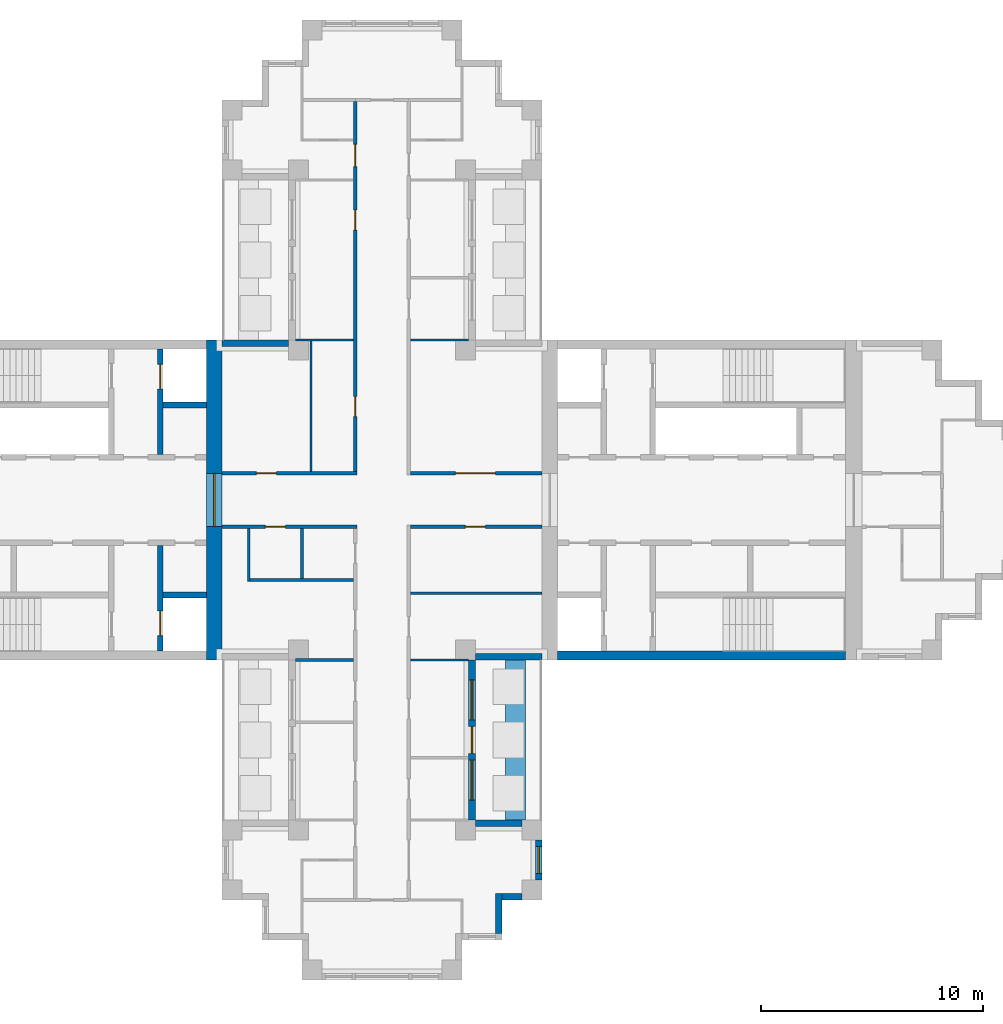
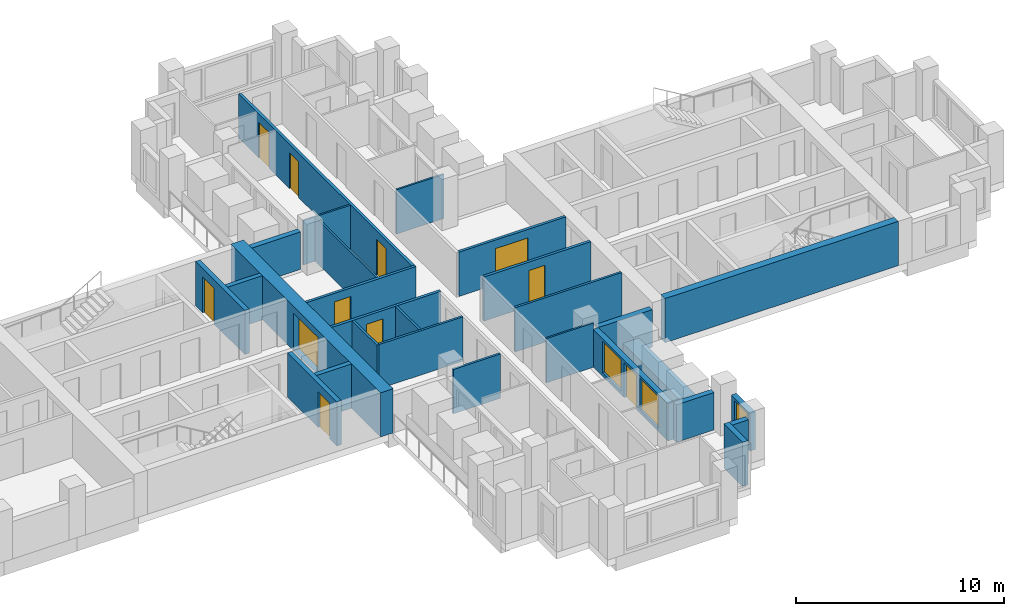
# One storey, part 5 of 11: 28 walls, 11 doors, 3 windows, 14 openings.
"""IFC4 building model written with IfcOpenShell, lengths in metres."""

from ifc_helpers import new_model, si_unit, direction, frame, frame_2d, origin, place, context, subcontext, project, spatial, rectangle, extrude, material, layer, layer_set, type_object, element, fill, save


model = new_model("IFC4")

# Units and contexts
model_context = context("Model", 3, precision=1e-05, world=origin(), true_north=direction((0.0, 1.0)))
body_context = subcontext(model_context, "Body", "Model", "MODEL_VIEW")
ifc_project = project(units=[si_unit("LENGTHUNIT", "METRE"), si_unit("AREAUNIT", "SQUARE_METRE"), si_unit("VOLUMEUNIT", "CUBIC_METRE"), si_unit("PLANEANGLEUNIT", "RADIAN"), si_unit("MASSUNIT", "GRAM", prefix="KILO")], contexts=[model_context])

# Site, building, storey
site_placement = place(None, origin())
site = spatial("IfcSite", under=ifc_project, at=site_placement, CompositionType="ELEMENT")
building_placement = place(site_placement, origin())
building = spatial("IfcBuilding", under=site, at=building_placement, Name="Fustian Cross Tower", CompositionType="ELEMENT")
storey_placement = place(building_placement, frame((0.0, 0.0, 173.699951171875)))
storey = spatial("IfcBuildingStorey", under=building, at=storey_placement, Name="L54", CompositionType="ELEMENT", Elevation=173.699951171875)

# Wall, opening, door
ifc_material_1 = material(Name="Plasterboard on steel stud", Category="steel")
ifc_layer_1 = layer(ifc_material_1, 0.14990234375)
ifc_layer_set_1 = layer_set([ifc_layer_1], Name="Plasterboard on steel stud")
wall_type_1 = type_object("IfcWallType", Name="COMPARTMENT WALL 150 EI 60", PredefinedType="PARTITIONING", material=ifc_layer_set_1)
wall_1_placement = place(storey_placement, frame((-7.199951171875, -1.199951171875, 0.0), z_axis=(0.0, 0.0, 1.0), x_axis=(1.0, 0.0, 0.0)))
wall_1 = element("IfcWall", 1, at=wall_1_placement, inside=storey, type_object=wall_type_1, Name="Partition 13", PredefinedType="PARTITIONING", context=body_context, shape_type="SweptSolid", body=[
    extrude(rectangle(XDim=6.074951171875, YDim=0.14990234375, at=frame_2d((3.03759765625, 0.0))), origin(), (0.0, 0.0, 1.0), 2.60009765625),
])
opening_1_placement = place(wall_1_placement, frame((1.949951171875, 0.0, 0.0)))
opening_1 = element("IfcOpeningElement", 2, at=opening_1_placement, cuts=wall_1, Name="Opening D25007", PredefinedType="OPENING", context=body_context, shape_type="SweptSolid", body=[
    extrude(rectangle(XDim=0.89990234375, YDim=2.10009765625, at=frame_2d((0.449951171875, 1.050048828125))), frame((0.0, 0.0849609375, 0.0), z_axis=(0.0, -1.0, 0.0), x_axis=(1.0, 0.0, 0.0)), (0.0, 0.0, 1.0), 0.169921875),
])
ifc_material_2 = material(Name="Timber fire door set", Category="wood")
door_type_1 = type_object("IfcDoorType", Name="FIRE SWING DOOR 900 FD30S", OperationType="SINGLE_SWING_LEFT", PredefinedType="DOOR", material=ifc_material_2)
door_1_placement = place(opening_1_placement, frame((0.89990234375, 0.0, 0.0), z_axis=(0.0, 0.0, 1.0), x_axis=(-1.0, 0.0, 0.0)))
door_1 = element("IfcDoor", 3, at=door_1_placement, inside=storey, type_object=door_type_1, Name="Door D25007", OperationType="SINGLE_SWING_RIGHT", OverallHeight=2.10009765625, OverallWidth=0.89990234375, PredefinedType="DOOR", context=body_context, shape_type="SweptSolid", body=[
    extrude(rectangle(XDim=0.89990234375, YDim=2.10009765625, at=frame_2d((0.449951171875, 1.050048828125))), frame((0.0, 0.02490234375, 0.0), z_axis=(0.0, -1.0, 0.0), x_axis=(1.0, 0.0, 0.0)), (0.0, 0.0, 1.0), 0.050048828125),
])
fill(opening_1, door_1)

wall_2_placement = place(storey_placement, frame((-7.199951171875, 1.199951171875, 0.0), z_axis=(0.0, 0.0, 1.0), x_axis=(1.0, 0.0, 0.0)))
wall_2 = element("IfcWall", 4, at=wall_2_placement, inside=storey, type_object=wall_type_1, Name="Partition 14", PredefinedType="PARTITIONING", context=body_context, shape_type="SweptSolid", body=[
    extrude(rectangle(XDim=6.074951171875, YDim=0.14990234375, at=frame_2d((3.03759765625, 0.0))), origin(), (0.0, 0.0, 1.0), 2.60009765625),
])
opening_2_placement = place(wall_2_placement, frame((1.550048828125, 0.0, 0.0)))
opening_2 = element("IfcOpeningElement", 5, at=opening_2_placement, cuts=wall_2, Name="Opening D25003", PredefinedType="OPENING", context=body_context, shape_type="SweptSolid", body=[
    extrude(rectangle(XDim=0.89990234375, YDim=2.10009765625, at=frame_2d((0.449951171875, 1.050048828125))), frame((0.0, 0.0849609375, 0.0), z_axis=(0.0, -1.0, 0.0), x_axis=(1.0, 0.0, 0.0)), (0.0, 0.0, 1.0), 0.169921875),
])
door_2_placement = place(opening_2_placement, origin())
door_2 = element("IfcDoor", 6, at=door_2_placement, inside=storey, type_object=door_type_1, Name="Door D25003", OperationType="SINGLE_SWING_LEFT", OverallHeight=2.10009765625, OverallWidth=0.89990234375, PredefinedType="DOOR", context=body_context, shape_type="SweptSolid", body=[
    extrude(rectangle(XDim=0.89990234375, YDim=2.10009765625, at=frame_2d((0.449951171875, 1.050048828125))), frame((0.0, 0.02490234375, 0.0), z_axis=(0.0, -1.0, 0.0), x_axis=(1.0, 0.0, 0.0)), (0.0, 0.0, 1.0), 0.050048828125),
])
fill(opening_2, door_2)

# Wall, openings, doors
wall_3_placement = place(storey_placement, frame((-1.199951171875, 1.27490234375, 0.0), z_axis=(0.0, 0.0, 1.0), x_axis=(0.0, 1.0, 0.0)))
wall_3 = element("IfcWall", 7, at=wall_3_placement, inside=storey, type_object=wall_type_1, Name="Partition 32", PredefinedType="PARTITIONING", context=body_context, shape_type="SweptSolid", body=[
    extrude(rectangle(XDim=16.650146484375, YDim=0.14990234375, at=frame_2d((8.3251953125, 0.0))), origin(), (0.0, 0.0, 1.0), 2.60009765625),
])
opening_3_placement = place(wall_3_placement, frame((2.47509765625, 0.0, 0.0)))
opening_3 = element("IfcOpeningElement", 8, at=opening_3_placement, cuts=wall_3, Name="Opening D25002", PredefinedType="OPENING", context=body_context, shape_type="SweptSolid", body=[
    extrude(rectangle(XDim=0.89990234375, YDim=2.10009765625, at=frame_2d((0.449951171875, 1.050048828125))), frame((0.0, 0.0849609375, 0.0), z_axis=(0.0, -1.0, 0.0), x_axis=(1.0, 0.0, 0.0)), (0.0, 0.0, 1.0), 0.169921875),
])
opening_4_placement = place(wall_3_placement, frame((10.875, 0.0, 0.0)))
opening_4 = element("IfcOpeningElement", 9, at=opening_4_placement, cuts=wall_3, Name="Opening D25014", PredefinedType="OPENING", context=body_context, shape_type="SweptSolid", body=[
    extrude(rectangle(XDim=0.89990234375, YDim=2.10009765625, at=frame_2d((0.449951171875, 1.050048828125))), frame((0.0, 0.0849609375, 0.0), z_axis=(0.0, -1.0, 0.0), x_axis=(1.0, 0.0, 0.0)), (0.0, 0.0, 1.0), 0.169921875),
])
opening_5_placement = place(wall_3_placement, frame((13.72509765625, 0.0, 0.0)))
opening_5 = element("IfcOpeningElement", 10, at=opening_5_placement, cuts=wall_3, Name="Opening D25016", PredefinedType="OPENING", context=body_context, shape_type="SweptSolid", body=[
    extrude(rectangle(XDim=1.0, YDim=2.10009765625, at=frame_2d((0.5, 1.050048828125))), frame((0.0, 0.0849609375, 0.0), z_axis=(0.0, -1.0, 0.0), x_axis=(1.0, 0.0, 0.0)), (0.0, 0.0, 1.0), 0.169921875),
])
ifc_material_3 = material(Name="Timber fire door set", Category="wood")
door_type_2 = type_object("IfcDoorType", Name="FIRE SWING DOOR 1000 FD30S", OperationType="SINGLE_SWING_LEFT", PredefinedType="DOOR", material=ifc_material_3)
door_3_placement = place(opening_5_placement, origin())
door_3 = element("IfcDoor", 11, at=door_3_placement, inside=storey, type_object=door_type_2, Name="Door D25016", OperationType="SINGLE_SWING_RIGHT", OverallHeight=2.10009765625, OverallWidth=1.0, PredefinedType="DOOR", context=body_context, shape_type="SweptSolid", body=[
    extrude(rectangle(XDim=1.0, YDim=2.10009765625, at=frame_2d((0.5, 1.050048828125))), frame((0.0, 0.02490234375, 0.0), z_axis=(0.0, -1.0, 0.0), x_axis=(1.0, 0.0, 0.0)), (0.0, 0.0, 1.0), 0.050048828125),
])
fill(opening_5, door_3)
door_4_placement = place(opening_3_placement, origin())
door_4 = element("IfcDoor", 12, at=door_4_placement, inside=storey, type_object=door_type_1, Name="Door D25002", OperationType="SINGLE_SWING_LEFT", OverallHeight=2.10009765625, OverallWidth=0.89990234375, PredefinedType="DOOR", context=body_context, shape_type="SweptSolid", body=[
    extrude(rectangle(XDim=0.89990234375, YDim=2.10009765625, at=frame_2d((0.449951171875, 1.050048828125))), frame((0.0, 0.02490234375, 0.0), z_axis=(0.0, -1.0, 0.0), x_axis=(1.0, 0.0, 0.0)), (0.0, 0.0, 1.0), 0.050048828125),
])
fill(opening_3, door_4)
door_5_placement = place(opening_4_placement, origin())
door_5 = element("IfcDoor", 13, at=door_5_placement, inside=storey, type_object=door_type_1, Name="Door D25014", OperationType="SINGLE_SWING_RIGHT", OverallHeight=2.10009765625, OverallWidth=0.89990234375, PredefinedType="DOOR", context=body_context, shape_type="SweptSolid", body=[
    extrude(rectangle(XDim=0.89990234375, YDim=2.10009765625, at=frame_2d((0.449951171875, 1.050048828125))), frame((0.0, 0.02490234375, 0.0), z_axis=(0.0, -1.0, 0.0), x_axis=(1.0, 0.0, 0.0)), (0.0, 0.0, 1.0), 0.050048828125),
])
fill(opening_4, door_5)

# Wall, opening, door
wall_4_placement = place(storey_placement, frame((1.27490234375, -1.199951171875, 0.0), z_axis=(0.0, 0.0, 1.0), x_axis=(1.0, 0.0, 0.0)))
wall_4 = element("IfcWall", 14, at=wall_4_placement, inside=storey, type_object=wall_type_1, Name="Partition 40", PredefinedType="PARTITIONING", context=body_context, shape_type="SweptSolid", body=[
    extrude(rectangle(XDim=5.925048828125, YDim=0.14990234375, at=frame_2d((2.96240234375, 0.0))), origin(), (0.0, 0.0, 1.0), 2.60009765625),
])
opening_6_placement = place(wall_4_placement, frame((2.47509765625, 0.0, 0.0)))
opening_6 = element("IfcOpeningElement", 15, at=opening_6_placement, cuts=wall_4, Name="Opening D25004", PredefinedType="OPENING", context=body_context, shape_type="SweptSolid", body=[
    extrude(rectangle(XDim=0.89990234375, YDim=2.10009765625, at=frame_2d((0.449951171875, 1.050048828125))), frame((0.0, 0.0849609375, 0.0), z_axis=(0.0, -1.0, 0.0), x_axis=(1.0, 0.0, 0.0)), (0.0, 0.0, 1.0), 0.169921875),
])
door_6_placement = place(opening_6_placement, frame((0.89990234375, 0.0, 0.0), z_axis=(0.0, 0.0, 1.0), x_axis=(-1.0, 0.0, 0.0)))
door_6 = element("IfcDoor", 16, at=door_6_placement, inside=storey, type_object=door_type_1, Name="Door D25004", OperationType="SINGLE_SWING_RIGHT", OverallHeight=2.10009765625, OverallWidth=0.89990234375, PredefinedType="DOOR", context=body_context, shape_type="SweptSolid", body=[
    extrude(rectangle(XDim=0.89990234375, YDim=2.10009765625, at=frame_2d((0.449951171875, 1.050048828125))), frame((0.0, 0.02490234375, 0.0), z_axis=(0.0, -1.0, 0.0), x_axis=(1.0, 0.0, 0.0)), (0.0, 0.0, 1.0), 0.050048828125),
])
fill(opening_6, door_6)

wall_5_placement = place(storey_placement, frame((1.27490234375, 1.199951171875, 0.0), z_axis=(0.0, 0.0, 1.0), x_axis=(1.0, 0.0, 0.0)))
wall_5 = element("IfcWall", 17, at=wall_5_placement, inside=storey, type_object=wall_type_1, Name="Partition 42", PredefinedType="PARTITIONING", context=body_context, shape_type="SweptSolid", body=[
    extrude(rectangle(XDim=5.925048828125, YDim=0.14990234375, at=frame_2d((2.96240234375, 0.0))), origin(), (0.0, 0.0, 1.0), 2.60009765625),
])
opening_7_placement = place(wall_5_placement, frame((2.02490234375, 0.0, 0.0)))
opening_7 = element("IfcOpeningElement", 18, at=opening_7_placement, cuts=wall_5, Name="Opening D25001", PredefinedType="OPENING", context=body_context, shape_type="SweptSolid", body=[
    extrude(rectangle(XDim=1.800048828125, YDim=2.10009765625, at=frame_2d((0.89990234375, 1.050048828125))), frame((0.0, 0.0849609375, 0.0), z_axis=(0.0, -1.0, 0.0), x_axis=(1.0, 0.0, 0.0)), (0.0, 0.0, 1.0), 0.169921875),
])
ifc_material_4 = material(Name="Timber fire door set", Category="wood")
door_type_3 = type_object("IfcDoorType", Name="FIRE DOUBLE DOOR 1800 FD30S", OperationType="DOUBLE_DOOR_DOUBLE_SWING", PredefinedType="DOOR", material=ifc_material_4)
door_7_placement = place(opening_7_placement, frame((1.800048828125, 0.0, 0.0), z_axis=(0.0, 0.0, 1.0), x_axis=(-1.0, 0.0, 0.0)))
door_7 = element("IfcDoor", 19, at=door_7_placement, inside=storey, type_object=door_type_3, Name="Door D25001", OperationType="DOUBLE_DOOR_DOUBLE_SWING", OverallHeight=2.10009765625, OverallWidth=1.800048828125, PredefinedType="DOOR", context=body_context, shape_type="SweptSolid", body=[
    extrude(rectangle(XDim=1.800048828125, YDim=2.10009765625, at=frame_2d((0.89990234375, 1.050048828125))), frame((0.0, 0.02490234375, 0.0), z_axis=(0.0, -1.0, 0.0), x_axis=(1.0, 0.0, 0.0)), (0.0, 0.0, 1.0), 0.050048828125),
])
fill(opening_7, door_7)

ifc_material_5 = material(Name="Concrete C50/60", Category="concrete")
ifc_layer_2 = layer(ifc_material_5, 0.699951171875)
ifc_layer_set_2 = layer_set([ifc_layer_2], Name="Concrete C50/60")
wall_type_2 = type_object("IfcWallType", Name="CORE END WALL 700 C50/60", PredefinedType="SHEAR", material=ifc_layer_set_2)
wall_6_placement = place(storey_placement, frame((-7.550048828125, -7.199951171875, 0.0), z_axis=(0.0, 0.0, 1.0), x_axis=(0.0, 1.0, 0.0)))
wall_6 = element("IfcWall", 20, at=wall_6_placement, inside=storey, type_object=wall_type_2, Name="Core end wall", PredefinedType="SHEAR", context=body_context, shape_type="SweptSolid", body=[
    extrude(rectangle(XDim=14.39990234375, YDim=0.699951171875, at=frame_2d((7.199951171875, 0.0))), origin(), (0.0, 0.0, 1.0), 2.60009765625),
])
opening_8_placement = place(wall_6_placement, frame((6.0, 0.0, 0.0)))
opening_8 = element("IfcOpeningElement", 21, at=opening_8_placement, cuts=wall_6, Name="Opening CD-22-28", PredefinedType="OPENING", context=body_context, shape_type="SweptSolid", body=[
    extrude(rectangle(XDim=2.39990234375, YDim=2.199951171875, at=frame_2d((1.199951171875, 1.10009765625))), frame((0.0, 0.35986328125, 0.0), z_axis=(0.0, -1.0, 0.0), x_axis=(1.0, 0.0, 0.0)), (0.0, 0.0, 1.0), 0.719970703125),
])
ifc_material_6 = material(Name="Steel", Category="steel")
door_type_4 = type_object("IfcDoorType", Name="FIRE DOOR FD30S DOUBLE 2400X2200", OperationType="DOUBLE_DOOR_DOUBLE_SWING", PredefinedType="DOOR", material=ifc_material_6)
door_8_placement = place(opening_8_placement, origin())
door_8 = element("IfcDoor", 22, at=door_8_placement, inside=storey, type_object=door_type_4, Name="Core door CD-22-28", OperationType="DOUBLE_DOOR_DOUBLE_SWING", OverallHeight=2.199951171875, OverallWidth=2.39990234375, PredefinedType="DOOR", context=body_context, shape_type="SweptSolid", body=[
    extrude(rectangle(XDim=2.39990234375, YDim=2.199951171875, at=frame_2d((1.199951171875, 1.10009765625))), frame((0.0, 0.02490234375, 0.0), z_axis=(0.0, -1.0, 0.0), x_axis=(1.0, 0.0, 0.0)), (0.0, 0.0, 1.0), 0.050048828125),
])
fill(opening_8, door_8)

# Walls
ifc_material_7 = material(Name="Concrete C50/60", Category="concrete")
ifc_layer_3 = layer(ifc_material_7, 0.39990234375)
ifc_layer_set_3 = layer_set([ifc_layer_3], Name="Concrete C50/60")
wall_type_3 = type_object("IfcWallType", Name="CORE FACADE WALL 400 C50/60", PredefinedType="SHEAR", material=ifc_layer_set_3)
wall_7_placement = place(storey_placement, frame((7.89990234375, -7.0, 0.0), z_axis=(0.0, 0.0, 1.0), x_axis=(1.0, 0.0, 0.0)))
element("IfcWall", 23, at=wall_7_placement, inside=storey, type_object=wall_type_3, Name="Core facade wall", PredefinedType="SHEAR", context=body_context, shape_type="SweptSolid", body=[
    extrude(rectangle(XDim=12.9501953125, YDim=0.39990234375, at=frame_2d((6.47509765625, 0.0))), origin(), (0.0, 0.0, 1.0), 2.60009765625),
])
ifc_material_8 = material(Name="Concrete C50/60", Category="concrete")
ifc_layer_4 = layer(ifc_material_8, 0.25)
ifc_layer_set_4 = layer_set([ifc_layer_4], Name="Concrete C50/60")
wall_type_4 = type_object("IfcWallType", Name="CORE SHAFT WALL 250 C50/60", PredefinedType="SHEAR", material=ifc_layer_set_4)
wall_8_placement = place(storey_placement, frame((-7.89990234375, 4.27490234375, 0.0), z_axis=(0.0, 0.0, 1.0), x_axis=(-1.0, 0.0, 0.0)))
element("IfcWall", 24, at=wall_8_placement, inside=storey, type_object=wall_type_4, Name="Core shaft wall", PredefinedType="SHEAR", context=body_context, shape_type="SweptSolid", body=[
    extrude(rectangle(XDim=1.9501953125, YDim=0.25, at=frame_2d((0.97509765625, 0.0))), origin(), (0.0, 0.0, 1.0), 2.60009765625),
])

# Wall, opening, door
wall_9_placement = place(storey_placement, frame((-9.97509765625, 2.050048828125, 0.0), z_axis=(0.0, 0.0, 1.0), x_axis=(0.0, 1.0, 0.0)))
wall_9 = element("IfcWall", 25, at=wall_9_placement, inside=storey, type_object=wall_type_4, Name="Core shaft wall", PredefinedType="SHEAR", context=body_context, shape_type="SweptSolid", body=[
    extrude(rectangle(XDim=4.75, YDim=0.25, at=frame_2d((2.375, 0.0))), origin(), (0.0, 0.0, 1.0), 2.60009765625),
])
opening_9_placement = place(wall_9_placement, frame((2.949951171875, 0.0, 0.0)))
opening_9 = element("IfcOpeningElement", 26, at=opening_9_placement, cuts=wall_9, Name="Opening LD", PredefinedType="OPENING", context=body_context, shape_type="SweptSolid", body=[
    extrude(rectangle(XDim=1.10009765625, YDim=2.10009765625, at=frame_2d((0.550048828125, 1.050048828125))), frame((0.0, 0.135009765625, 0.0), z_axis=(0.0, -1.0, 0.0), x_axis=(1.0, 0.0, 0.0)), (0.0, 0.0, 1.0), 0.27001953125),
])
ifc_material_9 = material(Name="Stainless steel", Category="steel")
door_type_5 = type_object("IfcDoorType", Name="LIFT LANDING DOOR 1100X2100", OperationType="SLIDING_TO_LEFT", PredefinedType="DOOR", material=ifc_material_9)
door_9_placement = place(opening_9_placement, origin())
door_9 = element("IfcDoor", 27, at=door_9_placement, inside=storey, type_object=door_type_5, Name="Landing door FL1W", OperationType="SLIDING_TO_LEFT", OverallHeight=2.10009765625, OverallWidth=1.10009765625, PredefinedType="DOOR", context=body_context, shape_type="SweptSolid", body=[
    extrude(rectangle(XDim=1.10009765625, YDim=2.10009765625, at=frame_2d((0.550048828125, 1.050048828125))), frame((0.0, 0.02490234375, 0.0), z_axis=(0.0, -1.0, 0.0), x_axis=(1.0, 0.0, 0.0)), (0.0, 0.0, 1.0), 0.050048828125),
])
fill(opening_9, door_9)

# Wall
wall_10_placement = place(storey_placement, frame((-7.89990234375, -4.27490234375, 0.0), z_axis=(0.0, 0.0, 1.0), x_axis=(-1.0, 0.0, 0.0)))
element("IfcWall", 28, at=wall_10_placement, inside=storey, type_object=wall_type_4, Name="Core shaft wall", PredefinedType="SHEAR", context=body_context, shape_type="SweptSolid", body=[
    extrude(rectangle(XDim=1.9501953125, YDim=0.25, at=frame_2d((0.97509765625, 0.0))), origin(), (0.0, 0.0, 1.0), 2.60009765625),
])

# Wall, opening, door
wall_11_placement = place(storey_placement, frame((-9.97509765625, -2.050048828125, 0.0), z_axis=(0.0, 0.0, 1.0), x_axis=(0.0, -1.0, 0.0)))
wall_11 = element("IfcWall", 29, at=wall_11_placement, inside=storey, type_object=wall_type_4, Name="Core shaft wall", PredefinedType="SHEAR", context=body_context, shape_type="SweptSolid", body=[
    extrude(rectangle(XDim=4.75, YDim=0.25, at=frame_2d((2.375, 0.0))), origin(), (0.0, 0.0, 1.0), 2.60009765625),
])
opening_10_placement = place(wall_11_placement, frame((2.949951171875, 0.0, 0.0)))
opening_10 = element("IfcOpeningElement", 30, at=opening_10_placement, cuts=wall_11, Name="Opening LD", PredefinedType="OPENING", context=body_context, shape_type="SweptSolid", body=[
    extrude(rectangle(XDim=1.10009765625, YDim=2.10009765625, at=frame_2d((0.550048828125, 1.050048828125))), frame((0.0, 0.135009765625, 0.0), z_axis=(0.0, -1.0, 0.0), x_axis=(1.0, 0.0, 0.0)), (0.0, 0.0, 1.0), 0.27001953125),
])
door_10_placement = place(opening_10_placement, origin())
door_10 = element("IfcDoor", 31, at=door_10_placement, inside=storey, type_object=door_type_5, Name="Landing door SV1W", OperationType="SLIDING_TO_LEFT", OverallHeight=2.10009765625, OverallWidth=1.10009765625, PredefinedType="DOOR", context=body_context, shape_type="SweptSolid", body=[
    extrude(rectangle(XDim=1.10009765625, YDim=2.10009765625, at=frame_2d((0.550048828125, 1.050048828125))), frame((0.0, 0.02490234375, 0.0), z_axis=(0.0, -1.0, 0.0), x_axis=(1.0, 0.0, 0.0)), (0.0, 0.0, 1.0), 0.050048828125),
])
fill(opening_10, door_10)

# Walls
ifc_material_10 = material(Name="Plasterboard on steel stud", Category="steel")
ifc_layer_5 = layer(ifc_material_10, 0.10009765625)
ifc_layer_set_5 = layer_set([ifc_layer_5], Name="Plasterboard on steel stud")
wall_type_5 = type_object("IfcWallType", Name="PARTITION 100 STUD", PredefinedType="PARTITIONING", material=ifc_layer_set_5)
wall_12_placement = place(storey_placement, frame((-3.89990234375, 7.199951171875, 0.0), z_axis=(0.0, 0.0, 1.0), x_axis=(1.0, 0.0, 0.0)))
element("IfcWall", 32, at=wall_12_placement, inside=storey, type_object=wall_type_5, Name="Partition 20", PredefinedType="PARTITIONING", context=body_context, shape_type="SweptSolid", body=[
    extrude(rectangle(XDim=2.625, YDim=0.10009765625, at=frame_2d((1.3125, 0.0))), origin(), (0.0, 0.0, 1.0), 2.60009765625),
])
wall_13_placement = place(storey_placement, frame((-3.199951171875, 1.27490234375, 0.0), z_axis=(0.0, 0.0, 1.0), x_axis=(0.0, 1.0, 0.0)))
element("IfcWall", 33, at=wall_13_placement, inside=storey, type_object=wall_type_5, Name="Partition 29", PredefinedType="PARTITIONING", context=body_context, shape_type="SweptSolid", body=[
    extrude(rectangle(XDim=5.875, YDim=0.10009765625, at=frame_2d((2.9375, 0.0))), origin(), (0.0, 0.0, 1.0), 2.60009765625),
])
for number, where, z_axis, x_axis, name in (
    (34, (1.27490234375, -7.199951171875, 0.0), (0.0, 0.0, 1.0), (1.0, 0.0, 0.0), "Partition 38"),
    (35, (1.27490234375, 7.199951171875, 0.0), (0.0, 0.0, 1.0), (1.0, 0.0, 0.0), "Partition 43"),
):
    element("IfcWall", number, at=place(storey_placement, frame(where, z_axis=z_axis, x_axis=x_axis)), inside=storey, type_object=wall_type_5, Name=name, PredefinedType="PARTITIONING", context=body_context, shape_type="SweptSolid", body=[
        extrude(rectangle(XDim=2.625, YDim=0.10009765625, at=frame_2d((1.3125, 0.0))), origin(), (0.0, 0.0, 1.0), 2.60009765625),
    ])
ifc_material_11 = material(Name="Concrete C40/50", Category="concrete")
ifc_layer_6 = layer(ifc_material_11, 0.89990234375)
ifc_layer_set_6 = layer_set([ifc_layer_6], Name="Concrete C40/50")
wall_type_6 = type_object("IfcWallType", Name="PK1 PLANTER 900", PredefinedType="PARAPET", material=ifc_layer_set_6)
wall_14_placement = place(storey_placement, frame((6.0, -14.39990234375, 0.0), z_axis=(0.0, 0.0, 1.0), x_axis=(0.0, 1.0, 0.0)))
element("IfcWall", 36, at=wall_14_placement, inside=storey, type_object=wall_type_6, Name="PLANTER", PredefinedType="PARAPET", context=body_context, shape_type="SweptSolid", body=[
    extrude(rectangle(XDim=7.199951171875, YDim=0.89990234375, at=frame_2d((3.60009765625, 0.0))), origin(), (0.0, 0.0, 1.0), 0.800048828125),
])
ifc_material_12 = material(Name="Plasterboard on steel stud", Category="steel")
ifc_layer_7 = layer(ifc_material_12, 0.125)
ifc_layer_set_7 = layer_set([ifc_layer_7], Name="Plasterboard on steel stud")
wall_type_7 = type_object("IfcWallType", Name="WET WALL 125 STUD", PredefinedType="PARTITIONING", material=ifc_layer_set_7)
wall_15_placement = place(storey_placement, frame((-6.0, -3.66259765625, 0.0), z_axis=(0.0, 0.0, 1.0), x_axis=(0.0, 1.0, 0.0)))
element("IfcWall", 37, at=wall_15_placement, inside=storey, type_object=wall_type_7, Name="Partition 15", PredefinedType="PARTITIONING", context=body_context, shape_type="SweptSolid", body=[
    extrude(rectangle(XDim=2.3876953125, YDim=0.125, at=frame_2d((1.19384765625, 0.0))), origin(), (0.0, 0.0, 1.0), 2.60009765625),
])
wall_16_placement = place(storey_placement, frame((-5.9375, -3.60009765625, 0.0), z_axis=(0.0, 0.0, 1.0), x_axis=(1.0, 0.0, 0.0)))
element("IfcWall", 38, at=wall_16_placement, inside=storey, type_object=wall_type_7, Name="Partition 16", PredefinedType="PARTITIONING", context=body_context, shape_type="SweptSolid", body=[
    extrude(rectangle(XDim=4.66259765625, YDim=0.125, at=frame_2d((2.331298828125, 0.0))), origin(), (0.0, 0.0, 1.0), 2.60009765625),
])
wall_17_placement = place(storey_placement, frame((-3.89990234375, -7.199951171875, 0.0), z_axis=(0.0, 0.0, 1.0), x_axis=(1.0, 0.0, 0.0)))
element("IfcWall", 39, at=wall_17_placement, inside=storey, type_object=wall_type_7, Name="Partition 19", PredefinedType="PARTITIONING", context=body_context, shape_type="SweptSolid", body=[
    extrude(rectangle(XDim=2.625, YDim=0.125, at=frame_2d((1.3125, 0.0))), origin(), (0.0, 0.0, 1.0), 2.60009765625),
])
wall_18_placement = place(storey_placement, frame((-3.60009765625, -3.53759765625, 0.0), z_axis=(0.0, 0.0, 1.0), x_axis=(0.0, 1.0, 0.0)))
element("IfcWall", 40, at=wall_18_placement, inside=storey, type_object=wall_type_7, Name="Partition 25", PredefinedType="PARTITIONING", context=body_context, shape_type="SweptSolid", body=[
    extrude(rectangle(XDim=2.2626953125, YDim=0.125, at=frame_2d((1.13134765625, 0.0))), origin(), (0.0, 0.0, 1.0), 2.60009765625),
])
wall_19_placement = place(storey_placement, frame((1.27490234375, -4.199951171875, 0.0), z_axis=(0.0, 0.0, 1.0), x_axis=(1.0, 0.0, 0.0)))
element("IfcWall", 41, at=wall_19_placement, inside=storey, type_object=wall_type_7, Name="Partition 39", PredefinedType="PARTITIONING", context=body_context, shape_type="SweptSolid", body=[
    extrude(rectangle(XDim=5.925048828125, YDim=0.125, at=frame_2d((2.96240234375, 0.0))), origin(), (0.0, 0.0, 1.0), 2.60009765625),
])
ifc_material_13 = material(Name="Dark aluminium cladding on insulated backing wall", Category="aluminium")
ifc_layer_8 = layer(ifc_material_13, 0.300048828125)
ifc_layer_set_8 = layer_set([ifc_layer_8], Name="Dark aluminium cladding on insulated backing wall")
wall_type_8 = type_object("IfcWallType", Name="XW1 EXTERNAL WALL 300", PredefinedType="SOLIDWALL", material=ifc_layer_set_8)
wall_20_placement = place(storey_placement, frame((-4.199951171875, 7.050048828125, 0.0), z_axis=(0.0, 0.0, 1.0), x_axis=(-1.0, 0.0, 0.0)))
element("IfcWall", 42, at=wall_20_placement, inside=storey, type_object=wall_type_8, Name="External wall", PredefinedType="SOLIDWALL", context=body_context, shape_type="SweptSolid", body=[
    extrude(rectangle(XDim=3.0, YDim=0.300048828125, at=frame_2d((1.5, 0.0))), origin(), (0.0, 0.0, 1.0), 2.199951171875),
])
wall_21_placement = place(storey_placement, frame((5.25, -19.5, 0.0), z_axis=(0.0, 0.0, 1.0), x_axis=(0.0, 1.0, 0.0)))
element("IfcWall", 43, at=wall_21_placement, inside=storey, type_object=wall_type_8, Name="External wall", PredefinedType="SOLIDWALL", context=body_context, shape_type="SweptSolid", body=[
    extrude(rectangle(XDim=1.800048828125, YDim=0.300048828125, at=frame_2d((0.89990234375, 0.0))), origin(), (0.0, 0.0, 1.0), 2.60009765625),
])
wall_22_placement = place(storey_placement, frame((5.39990234375, -17.85009765625, 0.0), z_axis=(0.0, 0.0, 1.0), x_axis=(1.0, 0.0, 0.0)))
element("IfcWall", 44, at=wall_22_placement, inside=storey, type_object=wall_type_8, Name="External wall", PredefinedType="SOLIDWALL", context=body_context, shape_type="SweptSolid", body=[
    extrude(rectangle(XDim=0.900146484375, YDim=0.300048828125, at=frame_2d((0.4501953125, 0.0))), origin(), (0.0, 0.0, 1.0), 2.60009765625),
])

# Wall, opening, window
wall_23_placement = place(storey_placement, frame((7.050048828125, -17.10009765625, 0.0), z_axis=(0.0, 0.0, 1.0), x_axis=(0.0, 1.0, 0.0)))
wall_23 = element("IfcWall", 45, at=wall_23_placement, inside=storey, type_object=wall_type_8, Name="External wall", PredefinedType="SOLIDWALL", context=body_context, shape_type="SweptSolid", body=[
    extrude(rectangle(XDim=1.800048828125, YDim=0.300048828125, at=frame_2d((0.89990234375, 0.0))), origin(), (0.0, 0.0, 1.0), 2.199951171875),
])
opening_11_placement = place(wall_23_placement, frame((0.300048828125, 0.0, 0.199951171875)))
opening_11 = element("IfcOpeningElement", 46, at=opening_11_placement, cuts=wall_23, Name="Opening WN3", PredefinedType="OPENING", context=body_context, shape_type="SweptSolid", body=[
    extrude(rectangle(XDim=1.199951171875, YDim=1.85009765625, at=frame_2d((0.60009765625, 0.925048828125))), frame((0.0, 0.159912109375, 0.0), z_axis=(0.0, -1.0, 0.0), x_axis=(1.0, 0.0, 0.0)), (0.0, 0.0, 1.0), 0.320068359375),
])
ifc_material_14 = material(Name="Dark anodised aluminium and double glazing", Category="aluminium")
window_type_1 = type_object("IfcWindowType", Name="WN3 WINDOW 1200X1850", PartitioningType="SINGLE_PANEL", PredefinedType="WINDOW", material=ifc_material_14)
window_1_placement = place(opening_11_placement, origin())
window_1 = element("IfcWindow", 47, at=window_1_placement, inside=storey, type_object=window_type_1, Name="Window", OverallHeight=1.85009765625, OverallWidth=1.199951171875, PartitioningType="SINGLE_PANEL", PredefinedType="WINDOW", context=body_context, shape_type="SweptSolid", body=[
    extrude(rectangle(XDim=1.199951171875, YDim=1.85009765625, at=frame_2d((0.60009765625, 0.925048828125))), frame((0.0, 0.030029296875, 0.0), z_axis=(0.0, -1.0, 0.0), x_axis=(1.0, 0.0, 0.0)), (0.0, 0.0, 1.0), 0.06005859375),
])
fill(opening_11, window_1)

# Wall
wall_24_placement = place(storey_placement, frame((6.300048828125, -14.550048828125, 0.0), z_axis=(0.0, 0.0, 1.0), x_axis=(-1.0, 0.0, 0.0)))
element("IfcWall", 48, at=wall_24_placement, inside=storey, type_object=wall_type_8, Name="External wall", PredefinedType="SOLIDWALL", context=body_context, shape_type="SweptSolid", body=[
    extrude(rectangle(XDim=2.10009765625, YDim=0.300048828125, at=frame_2d((1.050048828125, 0.0))), origin(), (0.0, 0.0, 1.0), 2.199951171875),
])

# Wall, openings, door, windows
wall_25_placement = place(storey_placement, frame((4.050048828125, -14.39990234375, 0.0), z_axis=(0.0, 0.0, 1.0), x_axis=(0.0, 1.0, 0.0)))
wall_25 = element("IfcWall", 49, at=wall_25_placement, inside=storey, type_object=wall_type_8, Name="External wall", PredefinedType="SOLIDWALL", context=body_context, shape_type="SweptSolid", body=[
    extrude(rectangle(XDim=7.199951171875, YDim=0.300048828125, at=frame_2d((3.60009765625, 0.0))), origin(), (0.0, 0.0, 1.0), 2.199951171875),
])
opening_12_placement = place(wall_25_placement, frame((3.0, 0.0, 0.0)))
opening_12 = element("IfcOpeningElement", 50, at=opening_12_placement, cuts=wall_25, Name="Opening XD3", PredefinedType="OPENING", context=body_context, shape_type="SweptSolid", body=[
    extrude(rectangle(XDim=1.199951171875, YDim=2.050048828125, at=frame_2d((0.60009765625, 1.02490234375))), frame((0.0, 0.159912109375, 0.0), z_axis=(0.0, -1.0, 0.0), x_axis=(1.0, 0.0, 0.0)), (0.0, 0.0, 1.0), 0.320068359375),
])
opening_13_placement = place(wall_25_placement, frame((0.89990234375, 0.0, 0.199951171875)))
opening_13 = element("IfcOpeningElement", 51, at=opening_13_placement, cuts=wall_25, Name="Opening WN2", PredefinedType="OPENING", context=body_context, shape_type="SweptSolid", body=[
    extrude(rectangle(XDim=1.800048828125, YDim=1.85009765625, at=frame_2d((0.89990234375, 0.925048828125))), frame((0.0, 0.159912109375, 0.0), z_axis=(0.0, -1.0, 0.0), x_axis=(1.0, 0.0, 0.0)), (0.0, 0.0, 1.0), 0.320068359375),
])
opening_14_placement = place(wall_25_placement, frame((4.5, 0.0, 0.199951171875)))
opening_14 = element("IfcOpeningElement", 52, at=opening_14_placement, cuts=wall_25, Name="Opening WN2", PredefinedType="OPENING", context=body_context, shape_type="SweptSolid", body=[
    extrude(rectangle(XDim=1.800048828125, YDim=1.85009765625, at=frame_2d((0.89990234375, 0.925048828125))), frame((0.0, 0.159912109375, 0.0), z_axis=(0.0, -1.0, 0.0), x_axis=(1.0, 0.0, 0.0)), (0.0, 0.0, 1.0), 0.320068359375),
])
ifc_material_15 = material(Name="Dark anodised aluminium and double glazing", Category="aluminium")
door_type_6 = type_object("IfcDoorType", Name="ED1 BALCONY DOOR 1200X2050", OperationType="SINGLE_SWING_LEFT", PredefinedType="DOOR", material=ifc_material_15)
door_11_placement = place(opening_12_placement, origin())
door_11 = element("IfcDoor", 53, at=door_11_placement, inside=storey, type_object=door_type_6, Name="Balcony door", OperationType="SINGLE_SWING_LEFT", OverallHeight=2.050048828125, OverallWidth=1.199951171875, PredefinedType="DOOR", context=body_context, shape_type="SweptSolid", body=[
    extrude(rectangle(XDim=1.199951171875, YDim=2.050048828125, at=frame_2d((0.60009765625, 1.02490234375))), frame((0.0, 0.02490234375, 0.0), z_axis=(0.0, -1.0, 0.0), x_axis=(1.0, 0.0, 0.0)), (0.0, 0.0, 1.0), 0.050048828125),
])
fill(opening_12, door_11)
ifc_material_16 = material(Name="Dark anodised aluminium and double glazing", Category="aluminium")
window_type_2 = type_object("IfcWindowType", Name="WN2 WINDOW 1800X1850", PartitioningType="SINGLE_PANEL", PredefinedType="WINDOW", material=ifc_material_16)
window_2_placement = place(opening_13_placement, origin())
window_2 = element("IfcWindow", 54, at=window_2_placement, inside=storey, type_object=window_type_2, Name="Window", OverallHeight=1.85009765625, OverallWidth=1.800048828125, PartitioningType="SINGLE_PANEL", PredefinedType="WINDOW", context=body_context, shape_type="SweptSolid", body=[
    extrude(rectangle(XDim=1.800048828125, YDim=1.85009765625, at=frame_2d((0.89990234375, 0.925048828125))), frame((0.0, 0.030029296875, 0.0), z_axis=(0.0, -1.0, 0.0), x_axis=(1.0, 0.0, 0.0)), (0.0, 0.0, 1.0), 0.06005859375),
])
fill(opening_13, window_2)
window_3_placement = place(opening_14_placement, origin())
window_3 = element("IfcWindow", 55, at=window_3_placement, inside=storey, type_object=window_type_2, Name="Window", OverallHeight=1.85009765625, OverallWidth=1.800048828125, PartitioningType="SINGLE_PANEL", PredefinedType="WINDOW", context=body_context, shape_type="SweptSolid", body=[
    extrude(rectangle(XDim=1.800048828125, YDim=1.85009765625, at=frame_2d((0.89990234375, 0.925048828125))), frame((0.0, 0.030029296875, 0.0), z_axis=(0.0, -1.0, 0.0), x_axis=(1.0, 0.0, 0.0)), (0.0, 0.0, 1.0), 0.06005859375),
])
fill(opening_14, window_3)

# Wall
wall_26_placement = place(storey_placement, frame((4.199951171875, -7.050048828125, 0.0), z_axis=(0.0, 0.0, 1.0), x_axis=(1.0, 0.0, 0.0)))
element("IfcWall", 56, at=wall_26_placement, inside=storey, type_object=wall_type_8, Name="External wall", PredefinedType="SOLIDWALL", context=body_context, shape_type="SweptSolid", body=[
    extrude(rectangle(XDim=3.0, YDim=0.300048828125, at=frame_2d((1.5, 0.0))), origin(), (0.0, 0.0, 1.0), 2.199951171875),
])

save(model, "model.ifc")
